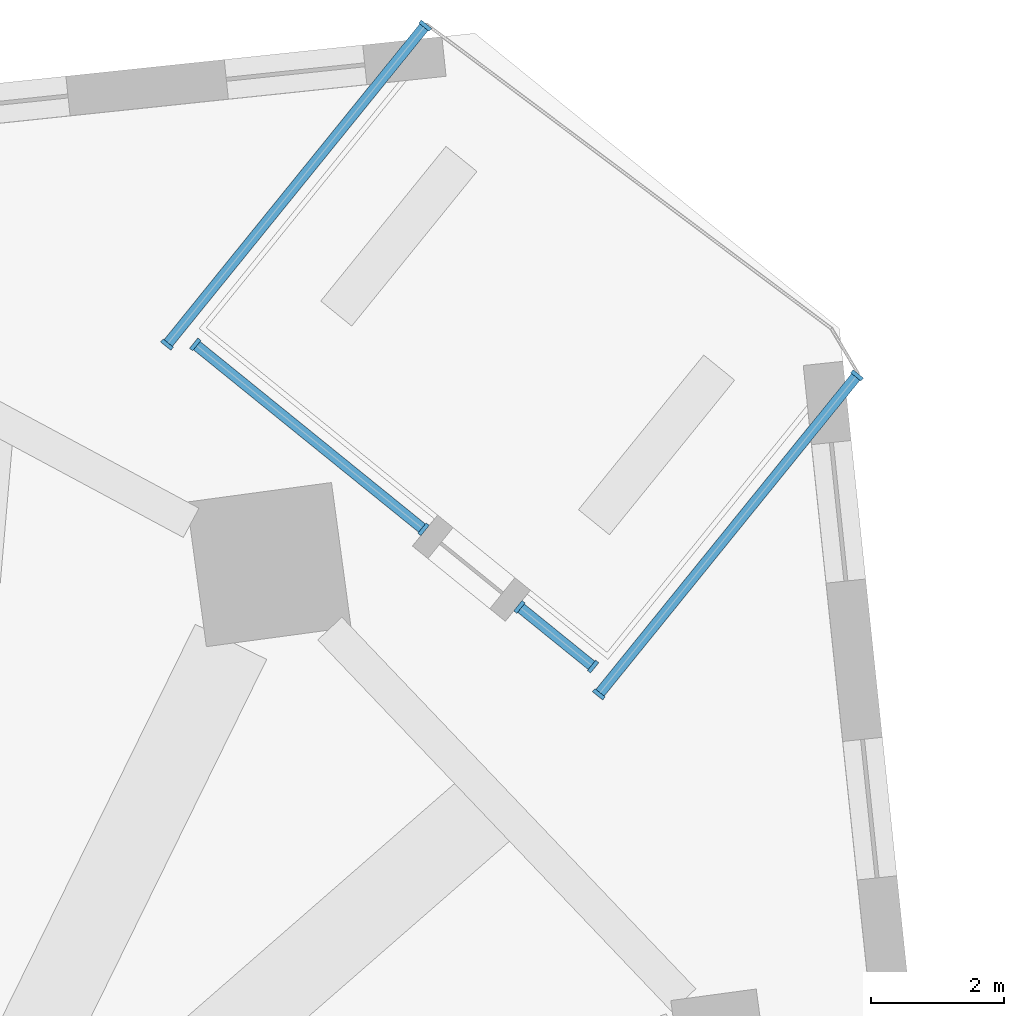
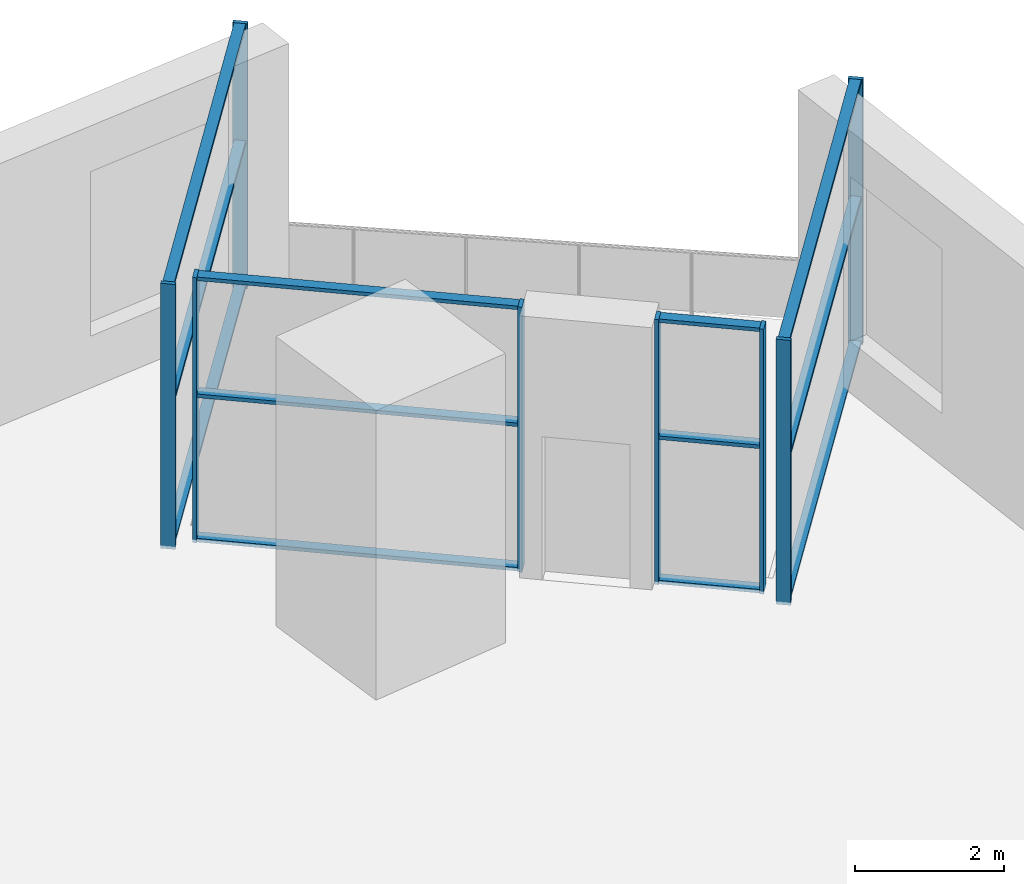
# One storey, part 2 of 10: 20 members, 4 elements without a shape of their own.
"""IFC4 building model written with IfcOpenShell, lengths in metres."""

from ifc_helpers import new_model, si_unit, direction, frame, origin, origin_2d, place, context, subcontext, project, spatial, rectangle, extrude, material, material_profile, profile_set, type_object, element, aggregate, save


model = new_model("IFC4")

# Units and contexts
model_context = context("Model", 3, precision=1e-05, world=origin(), true_north=direction((0.0, 1.0)))
body_context = subcontext(model_context, "Body", "Model", "MODEL_VIEW")
ifc_project = project(units=[si_unit("LENGTHUNIT", "METRE"), si_unit("AREAUNIT", "SQUARE_METRE"), si_unit("VOLUMEUNIT", "CUBIC_METRE"), si_unit("PLANEANGLEUNIT", "RADIAN"), si_unit("MASSUNIT", "GRAM", prefix="KILO")], contexts=[model_context])

# Site, building, storey
site_placement = place(None, origin())
site = spatial("IfcSite", under=ifc_project, at=site_placement, CompositionType="ELEMENT")
building_placement = place(site_placement, origin())
building = spatial("IfcBuilding", under=site, at=building_placement, Name="Dilmun Exchange Tower", CompositionType="ELEMENT")
storey_placement = place(building_placement, frame((0.0, 0.0, 36.89990234375)))
storey = spatial("IfcBuildingStorey", under=building, at=storey_placement, Name="L08", CompositionType="ELEMENT", Elevation=36.89990234375)

# Curtain wall, members
ifc_material_1 = material(Name="Anodised aluminium and clear glass", Category="aluminium")
curtain_wall_type = type_object("IfcCurtainWallType", Name="Garden corner glazing", PredefinedType="NOTDEFINED", material=ifc_material_1)
curtain_wall_1_placement = place(storey_placement, origin())
curtain_wall_1 = element("IfcCurtainWall", 1, at=curtain_wall_1_placement, inside=storey, type_object=curtain_wall_type, Name="Garden corner glazing run GC1.1", PredefinedType="NOTDEFINED")
ifc_material_2 = material(Name="Anodised aluminium", Category="aluminium")
ifc_material_profile_1 = material_profile(ifc_material_2, rectangle(XDim=0.199951171875, YDim=0.06005859375, at=origin_2d()), Name="AL 60x200")
ifc_profile_set_1 = profile_set([ifc_material_profile_1], Name="Anodised aluminium")
member_type_1 = type_object("IfcMemberType", Name="Garden corner glazing mullion 60 x 200", PredefinedType="MULLION", material=ifc_profile_set_1)
member_1_placement = place(storey_placement, frame((27.489013671875, 27.28955078125, 0.0), z_axis=(0.0, 0.0, 1.0), x_axis=(0.777139354096, -0.629328550374, 0.0)))
member_1 = element("IfcMember", 2, at=member_1_placement, type_object=member_type_1, Name="GC1.1 mullion 1", PredefinedType="MULLION", context=body_context, shape_type="SweptSolid", body=[
    extrude(rectangle(XDim=0.199951171875, YDim=0.06005859375, at=origin_2d()), origin(), (0.0, 0.0, 1.0), 4.35009765625),
])
member_2_placement = place(storey_placement, frame((23.595703125, 22.481689453125, 0.0), z_axis=(0.0, 0.0, 1.0), x_axis=(0.777139354096, -0.629328550374, 0.0)))
member_2 = element("IfcMember", 3, at=member_2_placement, type_object=member_type_1, Name="GC1.1 mullion 2", PredefinedType="MULLION", context=body_context, shape_type="SweptSolid", body=[
    extrude(rectangle(XDim=0.199951171875, YDim=0.06005859375, at=origin_2d()), origin(), (0.0, 0.0, 1.0), 4.35009765625),
])

curtain_wall_2_placement = place(storey_placement, origin())
curtain_wall_2 = element("IfcCurtainWall", 4, at=curtain_wall_2_placement, inside=storey, type_object=curtain_wall_type, Name="Garden corner glazing run GC2.1", PredefinedType="NOTDEFINED")
member_3_placement = place(storey_placement, frame((23.50927734375, 22.899169921875, 0.0), z_axis=(0.0, 0.0, 1.0), x_axis=(-0.629327658035, -0.777140076712, 0.0)))
member_3 = element("IfcMember", 5, at=member_3_placement, type_object=member_type_1, Name="GC2.1 mullion 1", PredefinedType="MULLION", context=body_context, shape_type="SweptSolid", body=[
    extrude(rectangle(XDim=0.199951171875, YDim=0.06005859375, at=origin_2d()), origin(), (0.0, 0.0, 1.0), 4.35009765625),
])
member_4_placement = place(storey_placement, frame((22.398681640625, 23.798583984375, 0.0), z_axis=(0.0, 0.0, 1.0), x_axis=(-0.629327658035, -0.777140076712, 0.0)))
member_4 = element("IfcMember", 6, at=member_4_placement, type_object=member_type_1, Name="GC2.1 mullion 2", PredefinedType="MULLION", context=body_context, shape_type="SweptSolid", body=[
    extrude(rectangle(XDim=0.199951171875, YDim=0.06005859375, at=origin_2d()), origin(), (0.0, 0.0, 1.0), 4.35009765625),
])

curtain_wall_3_placement = place(storey_placement, origin())
curtain_wall_3 = element("IfcCurtainWall", 7, at=curtain_wall_3_placement, inside=storey, type_object=curtain_wall_type, Name="Garden corner glazing run GC2.3", PredefinedType="NOTDEFINED")
member_5_placement = place(storey_placement, frame((20.953125, 24.96923828125, 0.0), z_axis=(0.0, 0.0, 1.0), x_axis=(-0.62930780391, -0.777156154153, 0.0)))
member_5 = element("IfcMember", 8, at=member_5_placement, type_object=member_type_1, Name="GC2.3 mullion 1", PredefinedType="MULLION", context=body_context, shape_type="SweptSolid", body=[
    extrude(rectangle(XDim=0.199951171875, YDim=0.06005859375, at=origin_2d()), origin(), (0.0, 0.0, 1.0), 4.35009765625),
])
member_6_placement = place(storey_placement, frame((17.510986328125, 27.75634765625, 0.0), z_axis=(0.0, 0.0, 1.0), x_axis=(-0.62930780391, -0.777156154153, 0.0)))
member_6 = element("IfcMember", 9, at=member_6_placement, type_object=member_type_1, Name="GC2.3 mullion 2", PredefinedType="MULLION", context=body_context, shape_type="SweptSolid", body=[
    extrude(rectangle(XDim=0.199951171875, YDim=0.06005859375, at=origin_2d()), origin(), (0.0, 0.0, 1.0), 4.35009765625),
])

curtain_wall_4_placement = place(storey_placement, origin())
curtain_wall_4 = element("IfcCurtainWall", 10, at=curtain_wall_4_placement, inside=storey, type_object=curtain_wall_type, Name="Garden corner glazing run GC3.1", PredefinedType="NOTDEFINED")
member_7_placement = place(storey_placement, frame((17.084716796875, 27.75439453125, 0.0), z_axis=(0.0, 0.0, 1.0), x_axis=(-0.777147183723, 0.629318881674, 0.0)))
member_7 = element("IfcMember", 11, at=member_7_placement, type_object=member_type_1, Name="GC3.1 mullion 1", PredefinedType="MULLION", context=body_context, shape_type="SweptSolid", body=[
    extrude(rectangle(XDim=0.199951171875, YDim=0.06005859375, at=origin_2d()), origin(), (0.0, 0.0, 1.0), 4.35009765625),
])
member_8_placement = place(storey_placement, frame((20.97802734375, 32.56201171875, 0.0), z_axis=(0.0, 0.0, 1.0), x_axis=(-0.777147183723, 0.629318881674, 0.0)))
member_8 = element("IfcMember", 12, at=member_8_placement, type_object=member_type_1, Name="GC3.1 mullion 2", PredefinedType="MULLION", context=body_context, shape_type="SweptSolid", body=[
    extrude(rectangle(XDim=0.199951171875, YDim=0.06005859375, at=origin_2d()), origin(), (0.0, 0.0, 1.0), 4.35009765625),
])

# Member
ifc_material_profile_2 = material_profile(ifc_material_2, rectangle(XDim=0.159912109375, YDim=0.06005859375, at=origin_2d()), Name="AL 60x160")
ifc_profile_set_2 = profile_set([ifc_material_profile_2], Name="Anodised aluminium")
member_type_2 = type_object("IfcMemberType", Name="Garden corner glazing transom 60 x 160", PredefinedType="USERDEFINED", material=ifc_profile_set_2)
member_9_placement = place(storey_placement, frame((27.47021484375, 27.26611328125, 0.030029296875), z_axis=(-0.629354123072, -0.777118644592, 0.0), x_axis=(0.777118644592, -0.629354123072, 0.0)))
member_9 = element("IfcMember", 13, at=member_9_placement, type_object=member_type_2, Name="GC1.1 transom 1.1", ObjectType="TRANSOM", PredefinedType="USERDEFINED", context=body_context, shape_type="SweptSolid", body=[
    extrude(rectangle(XDim=0.159912109375, YDim=0.06005859375, at=origin_2d()), origin(), (0.0, 0.0, 1.0), 6.12646484375),
])

member_10_placement = place(storey_placement, frame((27.47021484375, 27.26611328125, 2.400146484375), z_axis=(-0.629354123072, -0.777118644592, 0.0), x_axis=(0.777118644592, -0.629354123072, 0.0)))
member_10 = element("IfcMember", 14, at=member_10_placement, type_object=member_type_2, Name="GC1.1 transom 1.2", ObjectType="TRANSOM", PredefinedType="USERDEFINED", context=body_context, shape_type="SweptSolid", body=[
    extrude(rectangle(XDim=0.159912109375, YDim=0.06005859375, at=origin_2d()), origin(), (0.0, 0.0, 1.0), 6.12646484375),
])

member_11_placement = place(storey_placement, frame((27.47021484375, 27.26611328125, 4.320068359375), z_axis=(-0.629354123072, -0.777118644592, 0.0), x_axis=(0.777118644592, -0.629354123072, 0.0)))
member_11 = element("IfcMember", 15, at=member_11_placement, type_object=member_type_2, Name="GC1.1 transom 1.3", ObjectType="TRANSOM", PredefinedType="USERDEFINED", context=body_context, shape_type="SweptSolid", body=[
    extrude(rectangle(XDim=0.159912109375, YDim=0.06005859375, at=origin_2d()), origin(), (0.0, 0.0, 1.0), 6.12646484375),
])

aggregate(curtain_wall_1, [member_1, member_2, member_9, member_10, member_11])

member_12_placement = place(storey_placement, frame((23.48583984375, 22.918212890625, 0.030029296875), z_axis=(-0.777149346845, 0.629316210421, 0.0), x_axis=(-0.629316210421, -0.777149346845, 0.0)))
member_12 = element("IfcMember", 16, at=member_12_placement, type_object=member_type_2, Name="GC2.1 transom 1.1", ObjectType="TRANSOM", PredefinedType="USERDEFINED", context=body_context, shape_type="SweptSolid", body=[
    extrude(rectangle(XDim=0.159912109375, YDim=0.06005859375, at=origin_2d()), origin(), (0.0, 0.0, 1.0), 1.369140625),
])

member_13_placement = place(storey_placement, frame((23.48583984375, 22.918212890625, 2.400146484375), z_axis=(-0.777149346845, 0.629316210421, 0.0), x_axis=(-0.629316210421, -0.777149346845, 0.0)))
member_13 = element("IfcMember", 17, at=member_13_placement, type_object=member_type_2, Name="GC2.1 transom 1.2", ObjectType="TRANSOM", PredefinedType="USERDEFINED", context=body_context, shape_type="SweptSolid", body=[
    extrude(rectangle(XDim=0.159912109375, YDim=0.06005859375, at=origin_2d()), origin(), (0.0, 0.0, 1.0), 1.369140625),
])

member_14_placement = place(storey_placement, frame((23.48583984375, 22.918212890625, 4.320068359375), z_axis=(-0.777149346845, 0.629316210421, 0.0), x_axis=(-0.629316210421, -0.777149346845, 0.0)))
member_14 = element("IfcMember", 18, at=member_14_placement, type_object=member_type_2, Name="GC2.1 transom 1.3", ObjectType="TRANSOM", PredefinedType="USERDEFINED", context=body_context, shape_type="SweptSolid", body=[
    extrude(rectangle(XDim=0.159912109375, YDim=0.06005859375, at=origin_2d()), origin(), (0.0, 0.0, 1.0), 1.369140625),
])

aggregate(curtain_wall_2, [member_3, member_4, member_12, member_13, member_14])

member_15_placement = place(storey_placement, frame((20.9296875, 24.988037109375, 0.030029296875), z_axis=(-0.777136848202, 0.629331644816, 0.0), x_axis=(-0.629331644816, -0.777136848202, 0.0)))
member_15 = element("IfcMember", 19, at=member_15_placement, type_object=member_type_2, Name="GC2.3 transom 1.1", ObjectType="TRANSOM", PredefinedType="USERDEFINED", context=body_context, shape_type="SweptSolid", body=[
    extrude(rectangle(XDim=0.159912109375, YDim=0.06005859375, at=origin_2d()), origin(), (0.0, 0.0, 1.0), 4.368896484375),
])

member_16_placement = place(storey_placement, frame((20.9296875, 24.988037109375, 2.400146484375), z_axis=(-0.777136848202, 0.629331644816, 0.0), x_axis=(-0.629331644816, -0.777136848202, 0.0)))
member_16 = element("IfcMember", 20, at=member_16_placement, type_object=member_type_2, Name="GC2.3 transom 1.2", ObjectType="TRANSOM", PredefinedType="USERDEFINED", context=body_context, shape_type="SweptSolid", body=[
    extrude(rectangle(XDim=0.159912109375, YDim=0.06005859375, at=origin_2d()), origin(), (0.0, 0.0, 1.0), 4.368896484375),
])

member_17_placement = place(storey_placement, frame((20.9296875, 24.988037109375, 4.320068359375), z_axis=(-0.777136848202, 0.629331644816, 0.0), x_axis=(-0.629331644816, -0.777136848202, 0.0)))
member_17 = element("IfcMember", 21, at=member_17_placement, type_object=member_type_2, Name="GC2.3 transom 1.3", ObjectType="TRANSOM", PredefinedType="USERDEFINED", context=body_context, shape_type="SweptSolid", body=[
    extrude(rectangle(XDim=0.159912109375, YDim=0.06005859375, at=origin_2d()), origin(), (0.0, 0.0, 1.0), 4.368896484375),
])

aggregate(curtain_wall_3, [member_5, member_6, member_15, member_16, member_17])

member_18_placement = place(storey_placement, frame((17.103515625, 27.777587890625, 0.030029296875), z_axis=(0.629310566229, 0.777153917337, 0.0), x_axis=(-0.777153917337, 0.629310566229, 0.0)))
member_18 = element("IfcMember", 22, at=member_18_placement, type_object=member_type_2, Name="GC3.1 transom 1.1", ObjectType="TRANSOM", PredefinedType="USERDEFINED", context=body_context, shape_type="SweptSolid", body=[
    extrude(rectangle(XDim=0.159912109375, YDim=0.06005859375, at=origin_2d()), origin(), (0.0, 0.0, 1.0), 6.12646484375),
])

member_19_placement = place(storey_placement, frame((17.103515625, 27.777587890625, 2.400146484375), z_axis=(0.629310566229, 0.777153917337, 0.0), x_axis=(-0.777153917337, 0.629310566229, 0.0)))
member_19 = element("IfcMember", 23, at=member_19_placement, type_object=member_type_2, Name="GC3.1 transom 1.2", ObjectType="TRANSOM", PredefinedType="USERDEFINED", context=body_context, shape_type="SweptSolid", body=[
    extrude(rectangle(XDim=0.159912109375, YDim=0.06005859375, at=origin_2d()), origin(), (0.0, 0.0, 1.0), 6.12646484375),
])

member_20_placement = place(storey_placement, frame((17.103515625, 27.777587890625, 4.320068359375), z_axis=(0.629310566229, 0.777153917337, 0.0), x_axis=(-0.777153917337, 0.629310566229, 0.0)))
member_20 = element("IfcMember", 24, at=member_20_placement, type_object=member_type_2, Name="GC3.1 transom 1.3", ObjectType="TRANSOM", PredefinedType="USERDEFINED", context=body_context, shape_type="SweptSolid", body=[
    extrude(rectangle(XDim=0.159912109375, YDim=0.06005859375, at=origin_2d()), origin(), (0.0, 0.0, 1.0), 6.12646484375),
])

aggregate(curtain_wall_4, [member_7, member_8, member_18, member_19, member_20])

save(model, "model.ifc")
